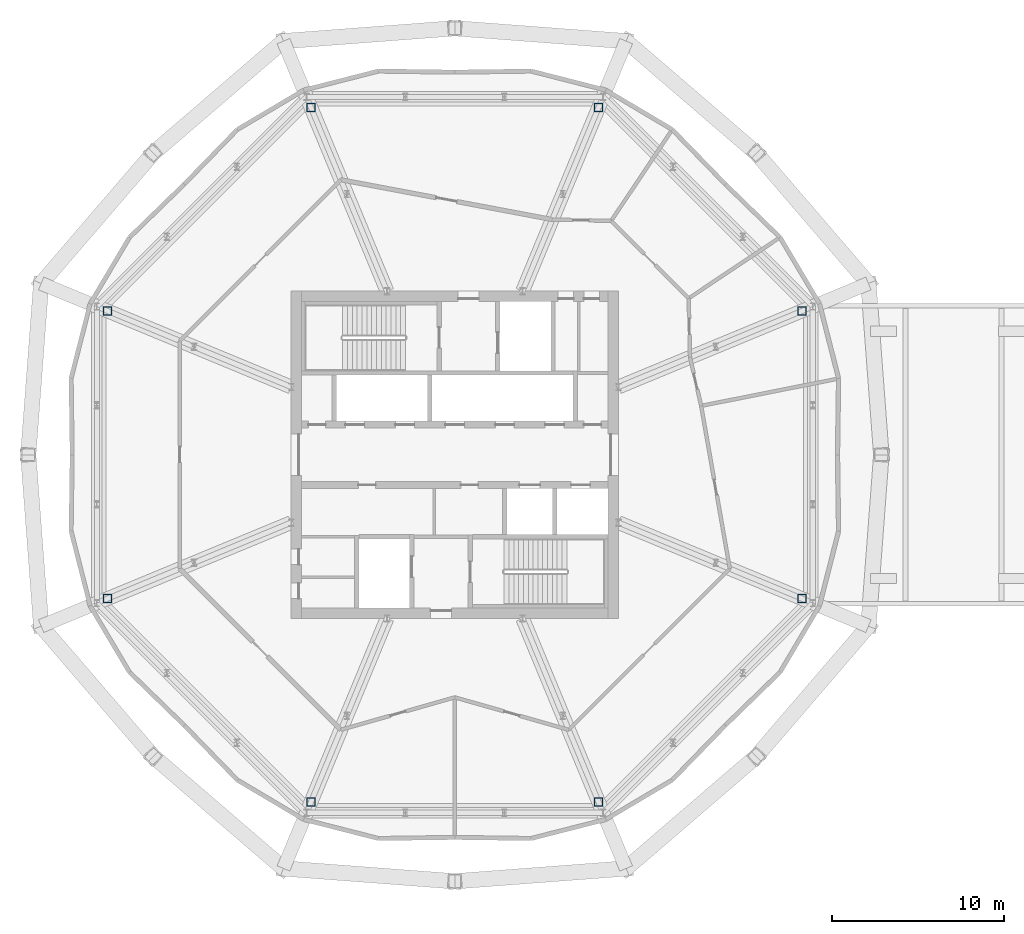
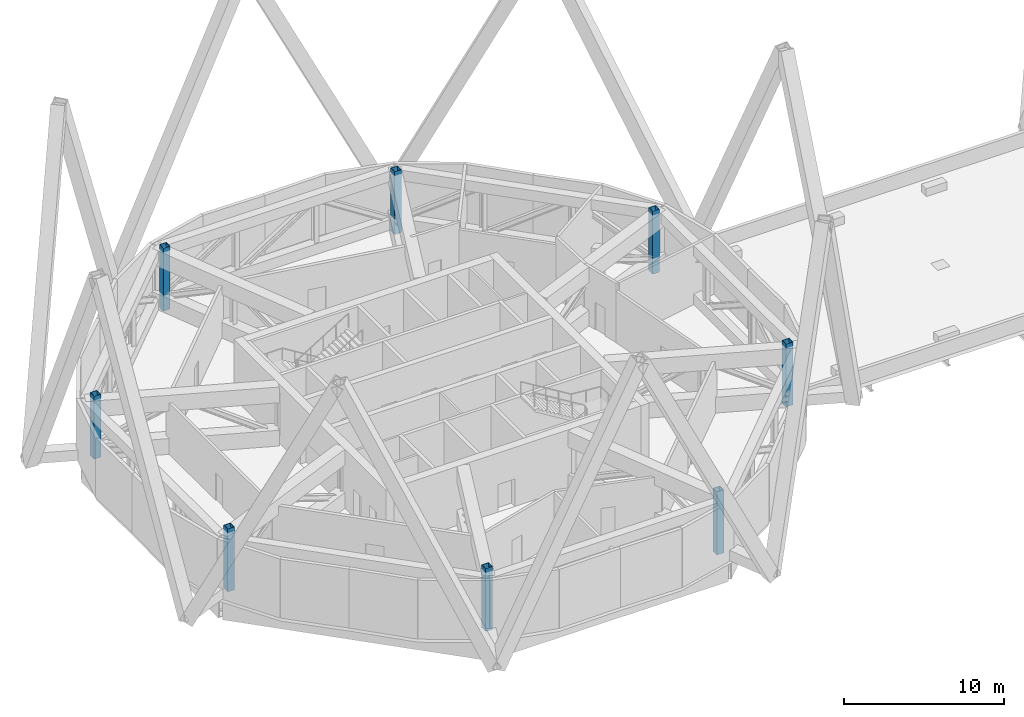
# One storey, part 1 of 20: 8 columns.
"""IFC4 building model written with IfcOpenShell, lengths in metres."""

from ifc_helpers import new_model, si_unit, direction, frame, origin, origin_2d, place, context, subcontext, project, spatial, hollow_rectangle, extrude, material, material_profile, profile_set, type_object, element, save


model = new_model("IFC4")

# Units and contexts
model_context = context("Model", 3, precision=1e-05, world=origin(), true_north=direction((0.0, 1.0)))
body_context = subcontext(model_context, "Body", "Model", "MODEL_VIEW")
ifc_project = project(units=[si_unit("LENGTHUNIT", "METRE"), si_unit("AREAUNIT", "SQUARE_METRE"), si_unit("VOLUMEUNIT", "CUBIC_METRE"), si_unit("PLANEANGLEUNIT", "RADIAN"), si_unit("MASSUNIT", "GRAM", prefix="KILO")], contexts=[model_context])

# Site, building, storey
site_placement = place(None, origin())
site = spatial("IfcSite", under=ifc_project, at=site_placement, CompositionType="ELEMENT")
building_placement = place(site_placement, origin())
building = spatial("IfcBuilding", under=site, at=building_placement, Name="Ogive Gate Towers", CompositionType="ELEMENT")
storey_placement = place(building_placement, frame((0.0, 0.0, 160.800048828125)))
storey = spatial("IfcBuildingStorey", under=building, at=storey_placement, Name="L38", CompositionType="ELEMENT", Elevation=160.800048828125)

# Columns
ifc_material = material(Name="Steel SM460", Category="steel")
ifc_material_profile = material_profile(ifc_material, hollow_rectangle(XDim=0.5, YDim=0.5, WallThickness=0.030029296875, at=origin_2d()), Name="BX 500x500x30")
ifc_profile_set = profile_set([ifc_material_profile], Name="Steel SM460")
column_type = type_object("IfcColumnType", Name="Perimeter post BX 500x500x30", PredefinedType="COLUMN", material=ifc_profile_set)
for number, where, z_axis, x_axis, name in (
    (1, (-15.85009765625, 8.346435546875, 0.0), (0.0, 0.0, 1.0), (1.0, 0.0, 0.0), "T1/L38/SCL001"),
    (2, (-27.653564453125, 20.14990234375, 0.0), (0.0, 0.0, 1.0), (1.0, 0.0, 0.0), "T1/L38/SCL002"),
    (3, (-44.346435546875, 20.14990234375, 0.0), (0.0, 0.0, 1.0), (1.0, 0.0, 0.0), "T1/L38/SCL003"),
    (4, (-56.14990234375, 8.346435546875, 0.0), (0.0, 0.0, 1.0), (1.0, 0.0, 0.0), "T1/L38/SCL004"),
    (5, (-56.14990234375, -8.346435546875, 0.0), (0.0, 0.0, 1.0), (1.0, 0.0, 0.0), "T1/L38/SCL005"),
    (6, (-44.346435546875, -20.14990234375, 0.0), (0.0, 0.0, 1.0), (1.0, 0.0, 0.0), "T1/L38/SCL006"),
    (7, (-27.653564453125, -20.14990234375, 0.0), (0.0, 0.0, 1.0), (1.0, 0.0, 0.0), "T1/L38/SCL007"),
    (8, (-15.85009765625, -8.346435546875, 0.0), (0.0, 0.0, 1.0), (1.0, 0.0, 0.0), "T1/L38/SCL008"),
):
    element("IfcColumn", number, at=place(storey_placement, frame(where, z_axis=z_axis, x_axis=x_axis)), inside=storey, type_object=column_type, Name=name, PredefinedType="COLUMN", context=body_context, shape_type="SweptSolid", body=[
        extrude(hollow_rectangle(XDim=0.5, YDim=0.5, WallThickness=0.030029296875, at=origin_2d()), origin(), (0.0, 0.0, 1.0), 4.800048828125),
    ])

save(model, "model.ifc")
